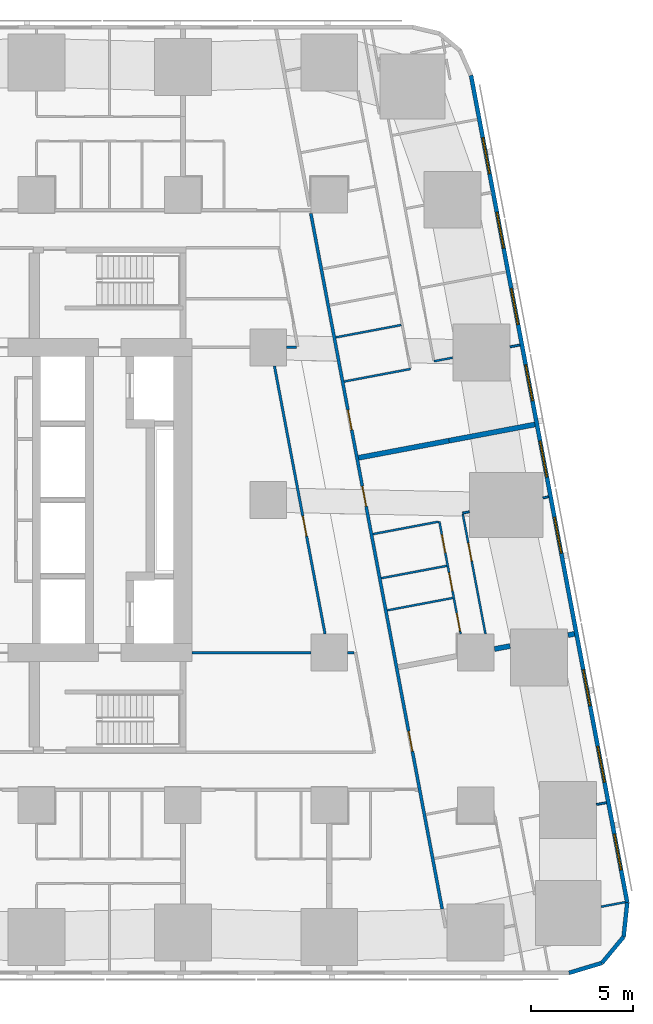
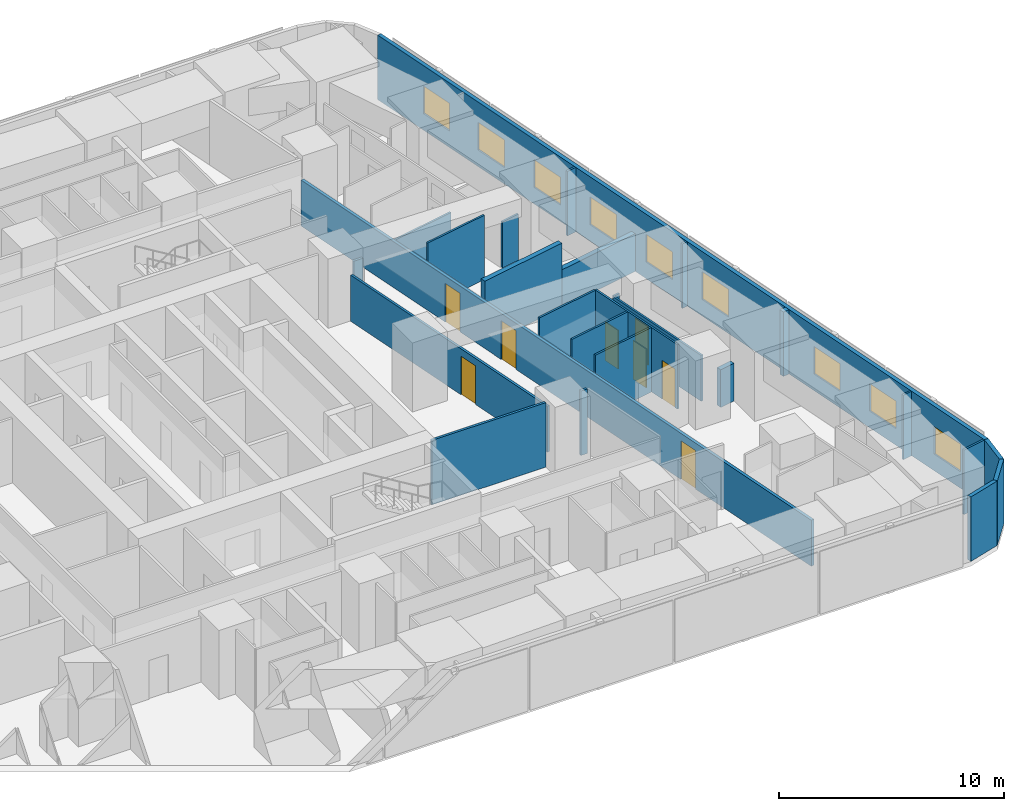
# One storey, part 8 of 16: 26 walls, 9 windows, 8 doors, 17 openings.
"""IFC4 building model written with IfcOpenShell, lengths in metres."""

from ifc_helpers import new_model, si_unit, direction, frame, frame_2d, origin, place, context, subcontext, project, spatial, rectangle, extrude, material, layer, layer_set, type_object, element, fill, save


model = new_model("IFC4")

# Units and contexts
model_context = context("Model", 3, precision=1e-05, world=origin(), true_north=direction((0.0, 1.0)))
body_context = subcontext(model_context, "Body", "Model", "MODEL_VIEW")
ifc_project = project(units=[si_unit("LENGTHUNIT", "METRE"), si_unit("AREAUNIT", "SQUARE_METRE"), si_unit("VOLUMEUNIT", "CUBIC_METRE"), si_unit("PLANEANGLEUNIT", "RADIAN"), si_unit("MASSUNIT", "GRAM", prefix="KILO")], contexts=[model_context])

# Site, building, storey
site_placement = place(None, origin())
site = spatial("IfcSite", under=ifc_project, at=site_placement, CompositionType="ELEMENT")
building_placement = place(site_placement, origin())
building = spatial("IfcBuilding", under=site, at=building_placement, Name="Sheger Commons Tower", CompositionType="ELEMENT")
storey_placement = place(building_placement, frame((0.0, 0.0, 61.25)))
storey = spatial("IfcBuildingStorey", under=building, at=storey_placement, Name="L15", CompositionType="ELEMENT", Elevation=61.25)

# Wall, openings, doors
ifc_material_1 = material(Name="Hollow concrete block masonry, skimmed both sides", Category="masonry")
ifc_layer_1 = layer(ifc_material_1, 0.14990234375)
ifc_layer_set_1 = layer_set([ifc_layer_1], Name="CORRIDOR WALL 150")
wall_type_1 = type_object("IfcWallType", Name="CORRIDOR WALL 150", PredefinedType="SOLIDWALL", material=ifc_layer_set_1)
wall_1_placement = place(storey_placement, frame((35.093994140625, 36.5849609375, 0.0), z_axis=(0.0, 0.0, 1.0), x_axis=(0.185588860311, -0.982627485331, 0.0)))
wall_1 = element("IfcWall", 1, at=wall_1_placement, inside=storey, type_object=wall_type_1, Name="Corridor wall L15", PredefinedType="SOLIDWALL", context=body_context, shape_type="SweptSolid", body=[
    extrude(rectangle(XDim=34.79736328125, YDim=0.14990234375, at=frame_2d((17.398681640625, 0.0))), origin(), (0.0, 0.0, 1.0), 2.5),
])
opening_1_placement = place(wall_1_placement, frame((9.827880859375, 0.0, 0.0)))
opening_1 = element("IfcOpeningElement", 2, at=opening_1_placement, cuts=wall_1, Name="Opening D1", PredefinedType="OPENING", context=body_context, shape_type="SweptSolid", body=[
    extrude(rectangle(XDim=1.0, YDim=2.10009765625, at=frame_2d((0.5, 1.050048828125))), frame((0.0, 0.0849609375, 0.0), z_axis=(0.0, -1.0, 0.0), x_axis=(1.0, 0.0, 0.0)), (0.0, 0.0, 1.0), 0.169921875),
])
opening_2_placement = place(wall_1_placement, frame((13.64501953125, 0.0, 0.0)))
opening_2 = element("IfcOpeningElement", 3, at=opening_2_placement, cuts=wall_1, Name="Opening D1", PredefinedType="OPENING", context=body_context, shape_type="SweptSolid", body=[
    extrude(rectangle(XDim=1.0, YDim=2.10009765625, at=frame_2d((0.5, 1.050048828125))), frame((0.0, 0.0849609375, 0.0), z_axis=(0.0, -1.0, 0.0), x_axis=(1.0, 0.0, 0.0)), (0.0, 0.0, 1.0), 0.169921875),
])
opening_3_placement = place(wall_1_placement, frame((25.89990234375, 0.0, 0.0)))
opening_3 = element("IfcOpeningElement", 4, at=opening_3_placement, cuts=wall_1, Name="Opening D1", PredefinedType="OPENING", context=body_context, shape_type="SweptSolid", body=[
    extrude(rectangle(XDim=1.0, YDim=2.10009765625, at=frame_2d((0.5, 1.050048828125))), frame((0.0, 0.0849609375, 0.0), z_axis=(0.0, -1.0, 0.0), x_axis=(1.0, 0.0, 0.0)), (0.0, 0.0, 1.0), 0.169921875),
])
ifc_material_2 = material(Name="Steel door set, fire rated", Category="steel")
door_type_1 = type_object("IfcDoorType", Name="FLAT ENTRANCE DOOR 1000x2100", OperationType="NOTDEFINED", PredefinedType="DOOR", material=ifc_material_2)
door_1_placement = place(opening_1_placement, origin())
door_1 = element("IfcDoor", 5, at=door_1_placement, inside=storey, type_object=door_type_1, Name="Flat entrance door", OperationType="SINGLE_SWING_RIGHT", OverallHeight=2.10009765625, OverallWidth=1.0, PredefinedType="DOOR", context=body_context, shape_type="SweptSolid", body=[
    extrude(rectangle(XDim=1.0, YDim=2.10009765625, at=frame_2d((0.5, 1.050048828125))), frame((0.0, 0.02490234375, 0.0), z_axis=(0.0, -1.0, 0.0), x_axis=(1.0, 0.0, 0.0)), (0.0, 0.0, 1.0), 0.050048828125),
])
fill(opening_1, door_1)
door_2_placement = place(opening_2_placement, origin())
door_2 = element("IfcDoor", 6, at=door_2_placement, inside=storey, type_object=door_type_1, Name="Flat entrance door", OperationType="SINGLE_SWING_RIGHT", OverallHeight=2.10009765625, OverallWidth=1.0, PredefinedType="DOOR", context=body_context, shape_type="SweptSolid", body=[
    extrude(rectangle(XDim=1.0, YDim=2.10009765625, at=frame_2d((0.5, 1.050048828125))), frame((0.0, 0.02490234375, 0.0), z_axis=(0.0, -1.0, 0.0), x_axis=(1.0, 0.0, 0.0)), (0.0, 0.0, 1.0), 0.050048828125),
])
fill(opening_2, door_2)
door_3_placement = place(opening_3_placement, origin())
door_3 = element("IfcDoor", 7, at=door_3_placement, inside=storey, type_object=door_type_1, Name="Flat entrance door", OperationType="SINGLE_SWING_LEFT", OverallHeight=2.10009765625, OverallWidth=1.0, PredefinedType="DOOR", context=body_context, shape_type="SweptSolid", body=[
    extrude(rectangle(XDim=1.0, YDim=2.10009765625, at=frame_2d((0.5, 1.050048828125))), frame((0.0, 0.02490234375, 0.0), z_axis=(0.0, -1.0, 0.0), x_axis=(1.0, 0.0, 0.0)), (0.0, 0.0, 1.0), 0.050048828125),
])
fill(opening_3, door_3)

# Walls
ifc_material_3 = material(Name="Dense concrete block masonry, plastered both sides (separating wall between flats)", Category="masonry")
ifc_layer_2 = layer(ifc_material_3, 0.25)
ifc_layer_set_2 = layer_set([ifc_layer_2], Name="DEMISING WALL 250")
wall_type_2 = type_object("IfcWallType", Name="DEMISING WALL 250", PredefinedType="SOLIDWALL", material=ifc_layer_set_2)
wall_2_placement = place(storey_placement, frame((46.110107421875, 26.212890625, 0.0), z_axis=(0.0, 0.0, 1.0), x_axis=(-0.982633535512, -0.185556823879, 0.0)))
element("IfcWall", 8, at=wall_2_placement, inside=storey, type_object=wall_type_2, Name="Demising wall L15", PredefinedType="SOLIDWALL", context=body_context, shape_type="SweptSolid", body=[
    extrude(rectangle(XDim=4.2998046875, YDim=0.25, at=frame_2d((2.14990234375, 0.0))), origin(), (0.0, 0.0, 1.0), 2.050048828125),
])
wall_3_placement = place(storey_placement, frame((41.885009765625, 25.4150390625, 0.0), z_axis=(0.0, 0.0, 1.0), x_axis=(-0.982612837616, -0.185666398014, 0.0)))
element("IfcWall", 9, at=wall_3_placement, inside=storey, type_object=wall_type_2, Name="Demising wall L15", PredefinedType="SOLIDWALL", context=body_context, shape_type="SweptSolid", body=[
    extrude(rectangle(XDim=4.524658203125, YDim=0.25, at=frame_2d((2.26220703125, 0.0))), origin(), (0.0, 0.0, 1.0), 3.5),
])
wall_4_placement = place(storey_placement, frame((48.054931640625, 15.9169921875, 0.0), z_axis=(0.0, 0.0, 1.0), x_axis=(-0.982510408223, -0.186207673669, 0.0)))
element("IfcWall", 10, at=wall_4_placement, inside=storey, type_object=wall_type_2, Name="Demising wall L15", PredefinedType="SOLIDWALL", context=body_context, shape_type="SweptSolid", body=[
    extrude(rectangle(XDim=0.322509765625, YDim=0.25, at=frame_2d((0.1611328125, 0.0))), origin(), (0.0, 0.0, 1.0), 3.5),
])
wall_5_placement = place(storey_placement, frame((44.889892578125, 15.319091796875, 0.0), z_axis=(0.0, 0.0, 1.0), x_axis=(-0.982540856152, -0.186046945666, 0.0)))
element("IfcWall", 11, at=wall_5_placement, inside=storey, type_object=wall_type_2, Name="Demising wall L15", PredefinedType="SOLIDWALL", context=body_context, shape_type="SweptSolid", body=[
    extrude(rectangle(XDim=0.779541015625, YDim=0.25, at=frame_2d((0.3896484375, 0.0))), origin(), (0.0, 0.0, 1.0), 2.050048828125),
])
ifc_material_4 = material(Name="Rendered concrete block masonry, dark grey", Category="masonry")
ifc_layer_3 = layer(ifc_material_4, 0.199951171875)
ifc_layer_set_3 = layer_set([ifc_layer_3], Name="FACADE WALL 200")
wall_type_3 = type_object("IfcWallType", Name="FACADE WALL 200", PredefinedType="SOLIDWALL", material=ifc_layer_set_3)
wall_6_placement = place(storey_placement, frame((47.791015625, -0.75, 0.0), z_axis=(0.0, 0.0, 1.0), x_axis=(0.957455232626, 0.288581838509, 0.0)))
element("IfcWall", 12, at=wall_6_placement, inside=storey, type_object=wall_type_3, Name="Facade wall L15", PredefinedType="SOLIDWALL", context=body_context, shape_type="SweptSolid", body=[
    extrude(rectangle(XDim=1.687744140625, YDim=0.199951171875, at=frame_2d((0.84375, 0.0))), origin(), (0.0, 0.0, 1.0), 3.5),
])
wall_7_placement = place(storey_placement, frame((49.406982421875, -0.262939453125, 0.0), z_axis=(0.0, 0.0, 1.0), x_axis=(0.638042593423, 0.770001070764, 0.0)))
element("IfcWall", 13, at=wall_7_placement, inside=storey, type_object=wall_type_3, Name="Facade wall L15", PredefinedType="SOLIDWALL", context=body_context, shape_type="SweptSolid", body=[
    extrude(rectangle(XDim=1.672607421875, YDim=0.199951171875, at=frame_2d((0.83642578125, 0.0))), origin(), (0.0, 0.0, 1.0), 3.5),
])
wall_8_placement = place(storey_placement, frame((50.47412109375, 1.02490234375, 0.0), z_axis=(0.0, 0.0, 1.0), x_axis=(0.106047815515, 0.994361031429, 0.0)))
element("IfcWall", 14, at=wall_8_placement, inside=storey, type_object=wall_type_3, Name="Facade wall L15", PredefinedType="SOLIDWALL", context=body_context, shape_type="SweptSolid", body=[
    extrude(rectangle(XDim=1.6875, YDim=0.199951171875, at=frame_2d((0.84375, 0.0))), origin(), (0.0, 0.0, 1.0), 3.5),
])

# Wall, openings, windows
wall_9_placement = place(storey_placement, frame((50.653076171875, 2.702880859375, 0.0), z_axis=(0.0, 0.0, 1.0), x_axis=(-0.185612026696, 0.982623109613, 0.0)))
wall_9 = element("IfcWall", 15, at=wall_9_placement, inside=storey, type_object=wall_type_3, Name="Facade wall L15", PredefinedType="SOLIDWALL", context=body_context, shape_type="SweptSolid", body=[
    extrude(rectangle(XDim=41.393310546875, YDim=0.199951171875, at=frame_2d((20.69677734375, 0.0))), origin(), (0.0, 0.0, 1.0), 3.5),
])
opening_4_placement = place(wall_9_placement, frame((1.633056640625, 0.0, 0.89990234375)))
opening_4 = element("IfcOpeningElement", 16, at=opening_4_placement, cuts=wall_9, Name="Opening W2", PredefinedType="OPENING", context=body_context, shape_type="SweptSolid", body=[
    extrude(rectangle(XDim=1.800048828125, YDim=1.5, at=frame_2d((0.89990234375, 0.75))), frame((0.0, 0.10986328125, 0.0), z_axis=(0.0, -1.0, 0.0), x_axis=(1.0, 0.0, 0.0)), (0.0, 0.0, 1.0), 0.219970703125),
])
opening_5_placement = place(wall_9_placement, frame((6.031982421875, 0.0, 0.89990234375)))
opening_5 = element("IfcOpeningElement", 17, at=opening_5_placement, cuts=wall_9, Name="Opening W2", PredefinedType="OPENING", context=body_context, shape_type="SweptSolid", body=[
    extrude(rectangle(XDim=1.800048828125, YDim=1.5, at=frame_2d((0.89990234375, 0.75))), frame((0.0, 0.10986328125, 0.0), z_axis=(0.0, -1.0, 0.0), x_axis=(1.0, 0.0, 0.0)), (0.0, 0.0, 1.0), 0.219970703125),
])
opening_6_placement = place(wall_9_placement, frame((9.847900390625, 0.0, 0.89990234375)))
opening_6 = element("IfcOpeningElement", 18, at=opening_6_placement, cuts=wall_9, Name="Opening W2", PredefinedType="OPENING", context=body_context, shape_type="SweptSolid", body=[
    extrude(rectangle(XDim=1.800048828125, YDim=1.5, at=frame_2d((0.89990234375, 0.75))), frame((0.0, 0.10986328125, 0.0), z_axis=(0.0, -1.0, 0.0), x_axis=(1.0, 0.0, 0.0)), (0.0, 0.0, 1.0), 0.219970703125),
])
opening_7_placement = place(wall_9_placement, frame((17.48095703125, 0.0, 0.89990234375)))
opening_7 = element("IfcOpeningElement", 19, at=opening_7_placement, cuts=wall_9, Name="Opening W2", PredefinedType="OPENING", context=body_context, shape_type="SweptSolid", body=[
    extrude(rectangle(XDim=1.800048828125, YDim=1.5, at=frame_2d((0.89990234375, 0.75))), frame((0.0, 0.10986328125, 0.0), z_axis=(0.0, -1.0, 0.0), x_axis=(1.0, 0.0, 0.0)), (0.0, 0.0, 1.0), 0.219970703125),
])
opening_8_placement = place(wall_9_placement, frame((21.297119140625, 0.0, 0.89990234375)))
opening_8 = element("IfcOpeningElement", 20, at=opening_8_placement, cuts=wall_9, Name="Opening W2", PredefinedType="OPENING", context=body_context, shape_type="SweptSolid", body=[
    extrude(rectangle(XDim=1.800048828125, YDim=1.5, at=frame_2d((0.89990234375, 0.75))), frame((0.0, 0.10986328125, 0.0), z_axis=(0.0, -1.0, 0.0), x_axis=(1.0, 0.0, 0.0)), (0.0, 0.0, 1.0), 0.219970703125),
])
opening_9_placement = place(wall_9_placement, frame((25.113037109375, 0.0, 0.89990234375)))
opening_9 = element("IfcOpeningElement", 21, at=opening_9_placement, cuts=wall_9, Name="Opening W2", PredefinedType="OPENING", context=body_context, shape_type="SweptSolid", body=[
    extrude(rectangle(XDim=1.800048828125, YDim=1.5, at=frame_2d((0.89990234375, 0.75))), frame((0.0, 0.10986328125, 0.0), z_axis=(0.0, -1.0, 0.0), x_axis=(1.0, 0.0, 0.0)), (0.0, 0.0, 1.0), 0.219970703125),
])
opening_10_placement = place(wall_9_placement, frame((28.929931640625, 0.0, 0.89990234375)))
opening_10 = element("IfcOpeningElement", 22, at=opening_10_placement, cuts=wall_9, Name="Opening W2", PredefinedType="OPENING", context=body_context, shape_type="SweptSolid", body=[
    extrude(rectangle(XDim=1.800048828125, YDim=1.5, at=frame_2d((0.89990234375, 0.75))), frame((0.0, 0.10986328125, 0.0), z_axis=(0.0, -1.0, 0.0), x_axis=(1.0, 0.0, 0.0)), (0.0, 0.0, 1.0), 0.219970703125),
])
opening_11_placement = place(wall_9_placement, frame((32.74609375, 0.0, 0.89990234375)))
opening_11 = element("IfcOpeningElement", 23, at=opening_11_placement, cuts=wall_9, Name="Opening W2", PredefinedType="OPENING", context=body_context, shape_type="SweptSolid", body=[
    extrude(rectangle(XDim=1.800048828125, YDim=1.5, at=frame_2d((0.89990234375, 0.75))), frame((0.0, 0.10986328125, 0.0), z_axis=(0.0, -1.0, 0.0), x_axis=(1.0, 0.0, 0.0)), (0.0, 0.0, 1.0), 0.219970703125),
])
opening_12_placement = place(wall_9_placement, frame((36.48095703125, 0.0, 0.89990234375)))
opening_12 = element("IfcOpeningElement", 24, at=opening_12_placement, cuts=wall_9, Name="Opening W2", PredefinedType="OPENING", context=body_context, shape_type="SweptSolid", body=[
    extrude(rectangle(XDim=1.800048828125, YDim=1.5, at=frame_2d((0.89990234375, 0.75))), frame((0.0, 0.10986328125, 0.0), z_axis=(0.0, -1.0, 0.0), x_axis=(1.0, 0.0, 0.0)), (0.0, 0.0, 1.0), 0.219970703125),
])
ifc_material_5 = material(Name="Black aluminium frame, dark tinted double glazing", Category="aluminium")
window_type = type_object("IfcWindowType", Name="WINDOW W2 1800x1500", PartitioningType="SINGLE_PANEL", PredefinedType="WINDOW", material=ifc_material_5)
window_1_placement = place(opening_4_placement, origin())
window_1 = element("IfcWindow", 25, at=window_1_placement, inside=storey, type_object=window_type, Name="Window W2 1800X1500", OverallHeight=1.5, OverallWidth=1.800048828125, PartitioningType="SINGLE_PANEL", PredefinedType="WINDOW", context=body_context, shape_type="SweptSolid", body=[
    extrude(rectangle(XDim=1.800048828125, YDim=1.5, at=frame_2d((0.89990234375, 0.75))), frame((0.0, 0.030029296875, 0.0), z_axis=(0.0, -1.0, 0.0), x_axis=(1.0, 0.0, 0.0)), (0.0, 0.0, 1.0), 0.06005859375),
])
fill(opening_4, window_1)
window_2_placement = place(opening_5_placement, origin())
window_2 = element("IfcWindow", 26, at=window_2_placement, inside=storey, type_object=window_type, Name="Window W2 1800X1500", OverallHeight=1.5, OverallWidth=1.800048828125, PartitioningType="SINGLE_PANEL", PredefinedType="WINDOW", context=body_context, shape_type="SweptSolid", body=[
    extrude(rectangle(XDim=1.800048828125, YDim=1.5, at=frame_2d((0.89990234375, 0.75))), frame((0.0, 0.030029296875, 0.0), z_axis=(0.0, -1.0, 0.0), x_axis=(1.0, 0.0, 0.0)), (0.0, 0.0, 1.0), 0.06005859375),
])
fill(opening_5, window_2)
window_3_placement = place(opening_6_placement, origin())
window_3 = element("IfcWindow", 27, at=window_3_placement, inside=storey, type_object=window_type, Name="Window W2 1800X1500", OverallHeight=1.5, OverallWidth=1.800048828125, PartitioningType="SINGLE_PANEL", PredefinedType="WINDOW", context=body_context, shape_type="SweptSolid", body=[
    extrude(rectangle(XDim=1.800048828125, YDim=1.5, at=frame_2d((0.89990234375, 0.75))), frame((0.0, 0.030029296875, 0.0), z_axis=(0.0, -1.0, 0.0), x_axis=(1.0, 0.0, 0.0)), (0.0, 0.0, 1.0), 0.06005859375),
])
fill(opening_6, window_3)
window_4_placement = place(opening_7_placement, origin())
window_4 = element("IfcWindow", 28, at=window_4_placement, inside=storey, type_object=window_type, Name="Window W2 1800X1500", OverallHeight=1.5, OverallWidth=1.800048828125, PartitioningType="SINGLE_PANEL", PredefinedType="WINDOW", context=body_context, shape_type="SweptSolid", body=[
    extrude(rectangle(XDim=1.800048828125, YDim=1.5, at=frame_2d((0.89990234375, 0.75))), frame((0.0, 0.030029296875, 0.0), z_axis=(0.0, -1.0, 0.0), x_axis=(1.0, 0.0, 0.0)), (0.0, 0.0, 1.0), 0.06005859375),
])
fill(opening_7, window_4)
window_5_placement = place(opening_8_placement, origin())
window_5 = element("IfcWindow", 29, at=window_5_placement, inside=storey, type_object=window_type, Name="Window W2 1800X1500", OverallHeight=1.5, OverallWidth=1.800048828125, PartitioningType="SINGLE_PANEL", PredefinedType="WINDOW", context=body_context, shape_type="SweptSolid", body=[
    extrude(rectangle(XDim=1.800048828125, YDim=1.5, at=frame_2d((0.89990234375, 0.75))), frame((0.0, 0.030029296875, 0.0), z_axis=(0.0, -1.0, 0.0), x_axis=(1.0, 0.0, 0.0)), (0.0, 0.0, 1.0), 0.06005859375),
])
fill(opening_8, window_5)
window_6_placement = place(opening_9_placement, origin())
window_6 = element("IfcWindow", 30, at=window_6_placement, inside=storey, type_object=window_type, Name="Window W2 1800X1500", OverallHeight=1.5, OverallWidth=1.800048828125, PartitioningType="SINGLE_PANEL", PredefinedType="WINDOW", context=body_context, shape_type="SweptSolid", body=[
    extrude(rectangle(XDim=1.800048828125, YDim=1.5, at=frame_2d((0.89990234375, 0.75))), frame((0.0, 0.030029296875, 0.0), z_axis=(0.0, -1.0, 0.0), x_axis=(1.0, 0.0, 0.0)), (0.0, 0.0, 1.0), 0.06005859375),
])
fill(opening_9, window_6)
window_7_placement = place(opening_10_placement, origin())
window_7 = element("IfcWindow", 31, at=window_7_placement, inside=storey, type_object=window_type, Name="Window W2 1800X1500", OverallHeight=1.5, OverallWidth=1.800048828125, PartitioningType="SINGLE_PANEL", PredefinedType="WINDOW", context=body_context, shape_type="SweptSolid", body=[
    extrude(rectangle(XDim=1.800048828125, YDim=1.5, at=frame_2d((0.89990234375, 0.75))), frame((0.0, 0.030029296875, 0.0), z_axis=(0.0, -1.0, 0.0), x_axis=(1.0, 0.0, 0.0)), (0.0, 0.0, 1.0), 0.06005859375),
])
fill(opening_10, window_7)
window_8_placement = place(opening_11_placement, origin())
window_8 = element("IfcWindow", 32, at=window_8_placement, inside=storey, type_object=window_type, Name="Window W2 1800X1500", OverallHeight=1.5, OverallWidth=1.800048828125, PartitioningType="SINGLE_PANEL", PredefinedType="WINDOW", context=body_context, shape_type="SweptSolid", body=[
    extrude(rectangle(XDim=1.800048828125, YDim=1.5, at=frame_2d((0.89990234375, 0.75))), frame((0.0, 0.030029296875, 0.0), z_axis=(0.0, -1.0, 0.0), x_axis=(1.0, 0.0, 0.0)), (0.0, 0.0, 1.0), 0.06005859375),
])
fill(opening_11, window_8)
window_9_placement = place(opening_12_placement, origin())
window_9 = element("IfcWindow", 33, at=window_9_placement, inside=storey, type_object=window_type, Name="Window W2 1800X1500", OverallHeight=1.5, OverallWidth=1.800048828125, PartitioningType="SINGLE_PANEL", PredefinedType="WINDOW", context=body_context, shape_type="SweptSolid", body=[
    extrude(rectangle(XDim=1.800048828125, YDim=1.5, at=frame_2d((0.89990234375, 0.75))), frame((0.0, 0.030029296875, 0.0), z_axis=(0.0, -1.0, 0.0), x_axis=(1.0, 0.0, 0.0)), (0.0, 0.0, 1.0), 0.06005859375),
])
fill(opening_12, window_9)

# Walls
ifc_material_6 = material(Name="Gypsum board on steel studs", Category="steel")
ifc_layer_4 = layer(ifc_material_6, 0.10009765625)
ifc_layer_set_4 = layer_set([ifc_layer_4], Name="PARTITION 100")
wall_type_4 = type_object("IfcWallType", Name="PARTITION 100", PredefinedType="PARTITIONING", material=ifc_layer_set_4)
wall_10_placement = place(storey_placement, frame((45.3720703125, 30.12109375, 0.0), z_axis=(0.0, 0.0, 1.0), x_axis=(-0.982629142467, -0.185580086147, 0.0)))
element("IfcWall", 34, at=wall_10_placement, inside=storey, type_object=wall_type_4, Name="Partition L15", PredefinedType="PARTITIONING", context=body_context, shape_type="SweptSolid", body=[
    extrude(rectangle(XDim=0.49072265625, YDim=0.10009765625, at=frame_2d((0.245361328125, 0.0))), origin(), (0.0, 0.0, 1.0), 3.5),
])
wall_11_placement = place(storey_placement, frame((42.070068359375, 29.4970703125, 0.0), z_axis=(0.0, 0.0, 1.0), x_axis=(-0.982490624992, -0.186312028067, 0.0)))
element("IfcWall", 35, at=wall_11_placement, inside=storey, type_object=wall_type_4, Name="Partition L15", PredefinedType="PARTITIONING", context=body_context, shape_type="SweptSolid", body=[
    extrude(rectangle(XDim=0.939453125, YDim=0.10009765625, at=frame_2d((0.4697265625, 0.0))), origin(), (0.0, 0.0, 1.0), 2.5),
])
wall_12_placement = place(storey_placement, frame((39.9970703125, 28.94189453125, 0.0), z_axis=(0.0, 0.0, 1.0), x_axis=(-0.982569883123, -0.185893584556, 0.0)))
element("IfcWall", 36, at=wall_12_placement, inside=storey, type_object=wall_type_4, Name="Partition L15", PredefinedType="PARTITIONING", context=body_context, shape_type="SweptSolid", body=[
    extrude(rectangle(XDim=3.323974609375, YDim=0.10009765625, at=frame_2d((1.662109375, 0.0))), origin(), (0.0, 0.0, 1.0), 3.5),
])
wall_13_placement = place(storey_placement, frame((39.5380859375, 31.10400390625, 0.0), z_axis=(0.0, 0.0, 1.0), x_axis=(-0.982620626894, -0.185625169636, 0.0)))
element("IfcWall", 37, at=wall_13_placement, inside=storey, type_object=wall_type_4, Name="Partition L15", PredefinedType="PARTITIONING", context=body_context, shape_type="SweptSolid", body=[
    extrude(rectangle(XDim=3.27490234375, YDim=0.10009765625, at=frame_2d((1.637451171875, 0.0))), origin(), (0.0, 0.0, 1.0), 2.5),
])

# Wall, opening, door
wall_14_placement = place(storey_placement, frame((42.56494140625, 21.80908203125, 0.0), z_axis=(0.0, 0.0, 1.0), x_axis=(0.185719768524, -0.982602751665, 0.0)))
wall_14 = element("IfcWall", 38, at=wall_14_placement, inside=storey, type_object=wall_type_4, Name="Partition L15", PredefinedType="PARTITIONING", context=body_context, shape_type="SweptSolid", body=[
    extrude(rectangle(XDim=6.003662109375, YDim=0.10009765625, at=frame_2d((3.001953125, 0.0))), origin(), (0.0, 0.0, 1.0), 2.5),
])
opening_13_placement = place(wall_14_placement, frame((1.449951171875, 0.0, 0.0)))
opening_13 = element("IfcOpeningElement", 39, at=opening_13_placement, cuts=wall_14, Name="Opening D2", PredefinedType="OPENING", context=body_context, shape_type="SweptSolid", body=[
    extrude(rectangle(XDim=0.89990234375, YDim=2.10009765625, at=frame_2d((0.449951171875, 1.050048828125))), frame((0.0, 0.06005859375, 0.0), z_axis=(0.0, -1.0, 0.0), x_axis=(1.0, 0.0, 0.0)), (0.0, 0.0, 1.0), 0.1201171875),
])
ifc_material_7 = material(Name="Timber door set", Category="wood")
door_type_2 = type_object("IfcDoorType", Name="INTERNAL DOOR 900x2100", OperationType="NOTDEFINED", PredefinedType="DOOR", material=ifc_material_7)
door_4_placement = place(opening_13_placement, origin())
door_4 = element("IfcDoor", 40, at=door_4_placement, inside=storey, type_object=door_type_2, Name="Main bedroom door", OperationType="SINGLE_SWING_RIGHT", OverallHeight=2.10009765625, OverallWidth=0.89990234375, PredefinedType="DOOR", context=body_context, shape_type="SweptSolid", body=[
    extrude(rectangle(XDim=0.89990234375, YDim=2.10009765625, at=frame_2d((0.449951171875, 1.050048828125))), frame((0.0, 0.02490234375, 0.0), z_axis=(0.0, -1.0, 0.0), x_axis=(1.0, 0.0, 0.0)), (0.0, 0.0, 1.0), 0.050048828125),
])
fill(opening_13, door_4)

# Wall, openings, doors
wall_15_placement = place(storey_placement, frame((41.4140625, 21.44189453125, 0.0), z_axis=(0.0, 0.0, 1.0), x_axis=(0.185605379031, -0.982624365297, 0.0)))
wall_15 = element("IfcWall", 41, at=wall_15_placement, inside=storey, type_object=wall_type_4, Name="Partition L15", PredefinedType="PARTITIONING", context=body_context, shape_type="SweptSolid", body=[
    extrude(rectangle(XDim=5.6298828125, YDim=0.10009765625, at=frame_2d((2.81494140625, 0.0))), origin(), (0.0, 0.0, 1.0), 3.5),
])
opening_14_placement = place(wall_15_placement, frame((0.655029296875, 0.0, 0.0)))
opening_14 = element("IfcOpeningElement", 42, at=opening_14_placement, cuts=wall_15, Name="Opening D2", PredefinedType="OPENING", context=body_context, shape_type="SweptSolid", body=[
    extrude(rectangle(XDim=0.89990234375, YDim=2.10009765625, at=frame_2d((0.449951171875, 1.050048828125))), frame((0.0, 0.06005859375, 0.0), z_axis=(0.0, -1.0, 0.0), x_axis=(1.0, 0.0, 0.0)), (0.0, 0.0, 1.0), 0.1201171875),
])
opening_15_placement = place(wall_15_placement, frame((4.580078125, 0.0, 0.0)))
opening_15 = element("IfcOpeningElement", 43, at=opening_15_placement, cuts=wall_15, Name="Opening D2", PredefinedType="OPENING", context=body_context, shape_type="SweptSolid", body=[
    extrude(rectangle(XDim=0.89990234375, YDim=2.10009765625, at=frame_2d((0.449951171875, 1.050048828125))), frame((0.0, 0.06005859375, 0.0), z_axis=(0.0, -1.0, 0.0), x_axis=(1.0, 0.0, 0.0)), (0.0, 0.0, 1.0), 0.1201171875),
])
opening_16_placement = place(wall_15_placement, frame((2.56201171875, 0.0, 0.0)))
opening_16 = element("IfcOpeningElement", 44, at=opening_16_placement, cuts=wall_15, Name="Opening D2", PredefinedType="OPENING", context=body_context, shape_type="SweptSolid", body=[
    extrude(rectangle(XDim=0.89990234375, YDim=2.10009765625, at=frame_2d((0.449951171875, 1.050048828125))), frame((0.0, 0.06005859375, 0.0), z_axis=(0.0, -1.0, 0.0), x_axis=(1.0, 0.0, 0.0)), (0.0, 0.0, 1.0), 0.1201171875),
])
door_5_placement = place(opening_14_placement, origin())
door_5 = element("IfcDoor", 45, at=door_5_placement, inside=storey, type_object=door_type_2, Name="Bathroom door", OperationType="SINGLE_SWING_RIGHT", OverallHeight=2.10009765625, OverallWidth=0.89990234375, PredefinedType="DOOR", context=body_context, shape_type="SweptSolid", body=[
    extrude(rectangle(XDim=0.89990234375, YDim=2.10009765625, at=frame_2d((0.449951171875, 1.050048828125))), frame((0.0, 0.02490234375, 0.0), z_axis=(0.0, -1.0, 0.0), x_axis=(1.0, 0.0, 0.0)), (0.0, 0.0, 1.0), 0.050048828125),
])
fill(opening_14, door_5)
door_6_placement = place(opening_15_placement, origin())
door_6 = element("IfcDoor", 46, at=door_6_placement, inside=storey, type_object=door_type_2, Name="Store and laundry door", OperationType="SINGLE_SWING_LEFT", OverallHeight=2.10009765625, OverallWidth=0.89990234375, PredefinedType="DOOR", context=body_context, shape_type="SweptSolid", body=[
    extrude(rectangle(XDim=0.89990234375, YDim=2.10009765625, at=frame_2d((0.449951171875, 1.050048828125))), frame((0.0, 0.02490234375, 0.0), z_axis=(0.0, -1.0, 0.0), x_axis=(1.0, 0.0, 0.0)), (0.0, 0.0, 1.0), 0.050048828125),
])
fill(opening_15, door_6)
door_7_placement = place(opening_16_placement, origin())
door_7 = element("IfcDoor", 47, at=door_7_placement, inside=storey, type_object=door_type_2, Name="Store door", OperationType="SINGLE_SWING_LEFT", OverallHeight=2.10009765625, OverallWidth=0.89990234375, PredefinedType="DOOR", context=body_context, shape_type="SweptSolid", body=[
    extrude(rectangle(XDim=0.89990234375, YDim=2.10009765625, at=frame_2d((0.449951171875, 1.050048828125))), frame((0.0, 0.02490234375, 0.0), z_axis=(0.0, -1.0, 0.0), x_axis=(1.0, 0.0, 0.0)), (0.0, 0.0, 1.0), 0.050048828125),
])
fill(opening_16, door_7)

# Walls
wall_16_placement = place(storey_placement, frame((46.781982421875, 22.656982421875, 0.0), z_axis=(0.0, 0.0, 1.0), x_axis=(-0.982574553168, -0.185868898601, 0.0)))
element("IfcWall", 48, at=wall_16_placement, inside=storey, type_object=wall_type_4, Name="Partition L15", PredefinedType="PARTITIONING", context=body_context, shape_type="SweptSolid", body=[
    extrude(rectangle(XDim=0.27978515625, YDim=0.10009765625, at=frame_2d((0.139892578125, 0.0))), origin(), (0.0, 0.0, 1.0), 3.5),
])
wall_17_placement = place(storey_placement, frame((42.886962890625, 21.9208984375, 0.0), z_axis=(0.0, 0.0, 1.0), x_axis=(-0.982274918032, -0.187445953293, 0.0)))
element("IfcWall", 49, at=wall_17_placement, inside=storey, type_object=wall_type_4, Name="Partition L15", PredefinedType="PARTITIONING", context=body_context, shape_type="SweptSolid", body=[
    extrude(rectangle(XDim=0.3359375, YDim=0.10009765625, at=frame_2d((0.16796875, 0.0))), origin(), (0.0, 0.0, 1.0), 2.5),
])
for number, where, z_axis, x_axis, name in (
    (50, (41.364990234375, 21.43310546875, 0.0), (0.0, 0.0, 1.0), (-0.982607026909, -0.185697147715, 0.0), "Partition L15"),
    (51, (42.072998046875, 17.68310546875, 0.0), (0.0, 0.0, 1.0), (-0.982607026909, -0.185697147715, 0.0), "Partition L15"),
    (52, (41.77490234375, 19.260986328125, 0.0), (0.0, 0.0, 1.0), (-0.982620626894, -0.185625169636, 0.0), "Partition L15"),
):
    element("IfcWall", number, at=place(storey_placement, frame(where, z_axis=z_axis, x_axis=x_axis)), inside=storey, type_object=wall_type_4, Name=name, PredefinedType="PARTITIONING", context=body_context, shape_type="SweptSolid", body=[
        extrude(rectangle(XDim=3.27490234375, YDim=0.10009765625, at=frame_2d((1.637451171875, 0.0))), origin(), (0.0, 0.0, 1.0), 3.5),
    ])
wall_18_placement = place(storey_placement, frame((49.6220703125, 7.6201171875, 0.0), z_axis=(0.0, 0.0, 1.0), x_axis=(-0.982629142467, -0.185580086147, 0.0)))
element("IfcWall", 53, at=wall_18_placement, inside=storey, type_object=wall_type_4, Name="Partition L15", PredefinedType="PARTITIONING", context=body_context, shape_type="SweptSolid", body=[
    extrude(rectangle(XDim=0.49072265625, YDim=0.10009765625, at=frame_2d((0.245361328125, 0.0))), origin(), (0.0, 0.0, 1.0), 3.5),
])
wall_19_placement = place(storey_placement, frame((50.547119140625, 2.72607421875, 0.0), z_axis=(0.0, 0.0, 1.0), x_axis=(-0.982553313503, -0.185981144539, 0.0)))
element("IfcWall", 54, at=wall_19_placement, inside=storey, type_object=wall_type_4, Name="Partition L15", PredefinedType="PARTITIONING", context=body_context, shape_type="SweptSolid", body=[
    extrude(rectangle(XDim=1.210205078125, YDim=0.10009765625, at=frame_2d((0.60498046875, 0.0))), origin(), (0.0, 0.0, 1.0), 3.5),
])

# Wall, opening, door
ifc_material_8 = material(Name="Gypsum board on steel studs, two layers each side, fire rated", Category="steel")
ifc_layer_5 = layer(ifc_material_8, 0.125)
ifc_layer_set_5 = layer_set([ifc_layer_5], Name="SERVICE WALL 125")
wall_type_5 = type_object("IfcWallType", Name="SERVICE WALL 125", PredefinedType="PARTITIONING", material=ifc_layer_set_5)
wall_20_placement = place(storey_placement, frame((35.79296875, 15.9130859375, 0.0), z_axis=(0.0, 0.0, 1.0), x_axis=(-0.185651708232, 0.982615613162, 0.0)))
wall_20 = element("IfcWall", 55, at=wall_20_placement, inside=storey, type_object=wall_type_5, Name="Service room wall L15", PredefinedType="PARTITIONING", context=body_context, shape_type="SweptSolid", body=[
    extrude(rectangle(XDim=13.406982421875, YDim=0.125, at=frame_2d((6.70361328125, 0.0))), origin(), (0.0, 0.0, 1.0), 2.5),
])
opening_17_placement = place(wall_20_placement, frame((4.89990234375, 0.0, 0.0)))
opening_17 = element("IfcOpeningElement", 56, at=opening_17_placement, cuts=wall_20, Name="Opening D4", PredefinedType="OPENING", context=body_context, shape_type="SweptSolid", body=[
    extrude(rectangle(XDim=1.0, YDim=2.10009765625, at=frame_2d((0.5, 1.050048828125))), frame((0.0, 0.072509765625, 0.0), z_axis=(0.0, -1.0, 0.0), x_axis=(1.0, 0.0, 0.0)), (0.0, 0.0, 1.0), 0.14501953125),
])
ifc_material_9 = material(Name="Steel door set, fire rated", Category="steel")
door_type_3 = type_object("IfcDoorType", Name="SERVICE DOOR 1000x2100", OperationType="NOTDEFINED", PredefinedType="DOOR", material=ifc_material_9)
door_8_placement = place(opening_17_placement, origin())
door_8 = element("IfcDoor", 57, at=door_8_placement, inside=storey, type_object=door_type_3, Name="Residents' gym door", OperationType="SINGLE_SWING_LEFT", OverallHeight=2.10009765625, OverallWidth=1.0, PredefinedType="DOOR", context=body_context, shape_type="SweptSolid", body=[
    extrude(rectangle(XDim=1.0, YDim=2.10009765625, at=frame_2d((0.5, 1.050048828125))), frame((0.0, 0.02490234375, 0.0), z_axis=(0.0, -1.0, 0.0), x_axis=(1.0, 0.0, 0.0)), (0.0, 0.0, 1.0), 0.050048828125),
])
fill(opening_17, door_8)

# Walls
wall_21_placement = place(storey_placement, frame((29.25, 15.0, 0.0), z_axis=(0.0, 0.0, 1.0), x_axis=(1.0, 0.0, 0.0)))
element("IfcWall", 58, at=wall_21_placement, inside=storey, type_object=wall_type_5, Name="Service room wall L15", PredefinedType="PARTITIONING", context=body_context, shape_type="SweptSolid", body=[
    extrude(rectangle(XDim=5.84912109375, YDim=0.125, at=frame_2d((2.924560546875, 0.0))), origin(), (0.0, 0.0, 1.0), 3.5),
])
wall_22_placement = place(storey_placement, frame((36.90087890625, 15.0, 0.0), z_axis=(0.0, 0.0, 1.0), x_axis=(1.0, 0.0, 0.0)))
element("IfcWall", 59, at=wall_22_placement, inside=storey, type_object=wall_type_5, Name="Service room wall L15", PredefinedType="PARTITIONING", context=body_context, shape_type="SweptSolid", body=[
    extrude(rectangle(XDim=0.326171875, YDim=0.125, at=frame_2d((0.1630859375, 0.0))), origin(), (0.0, 0.0, 1.0), 3.5),
])
wall_23_placement = place(storey_placement, frame((33.90087890625, 30.0, 0.0), z_axis=(0.0, 0.0, 1.0), x_axis=(1.0, 0.0, 0.0)))
element("IfcWall", 60, at=wall_23_placement, inside=storey, type_object=wall_type_5, Name="Service room wall L15", PredefinedType="PARTITIONING", context=body_context, shape_type="SweptSolid", body=[
    extrude(rectangle(XDim=0.47900390625, YDim=0.125, at=frame_2d((0.239501953125, 0.0))), origin(), (0.0, 0.0, 1.0), 2.5),
])

save(model, "model.ifc")
